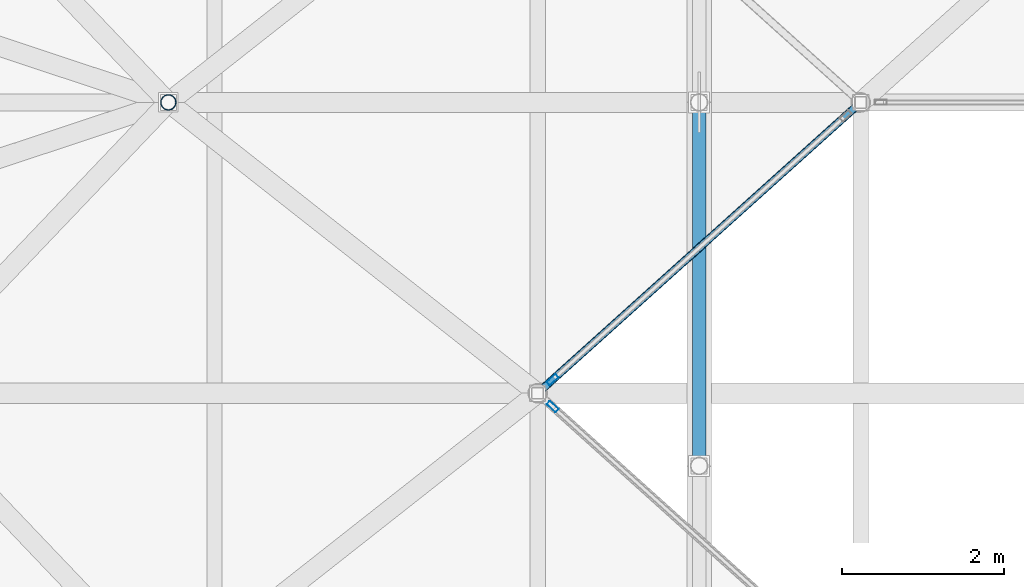
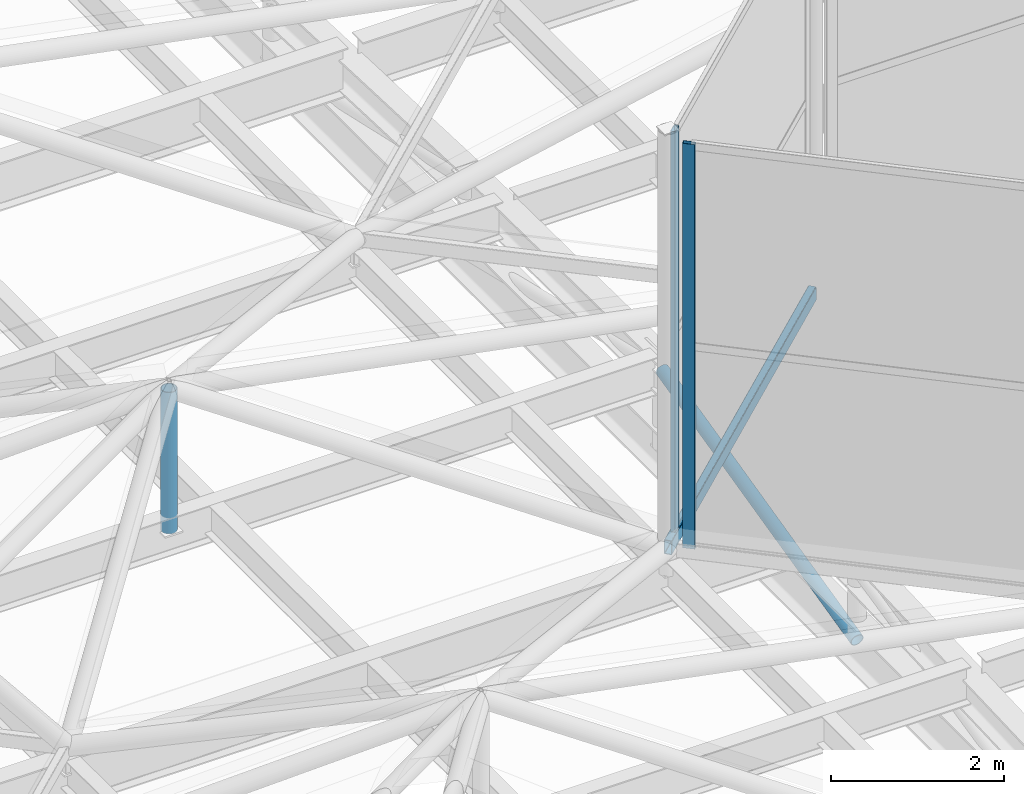
# One storey, part 56 of 239: 4 members, 1 beam, 2 elements without a shape of their own.
"""IFC4 building model written with IfcOpenShell, lengths in metres."""

from ifc_helpers import new_model, si_unit, direction, frame, origin, origin_2d, place, context, subcontext, project, spatial, hollow_rectangle, hollow_circle, extrude, material, layer, layer_set, material_profile, profile_set, type_object, element, aggregate, save


model = new_model("IFC4")

# Units and contexts
model_context = context("Model", 3, precision=1e-05, world=origin(), true_north=direction((0.0, 1.0)))
body_context = subcontext(model_context, "Body", "Model", "MODEL_VIEW")
ifc_project = project(units=[si_unit("LENGTHUNIT", "METRE"), si_unit("AREAUNIT", "SQUARE_METRE"), si_unit("VOLUMEUNIT", "CUBIC_METRE"), si_unit("PLANEANGLEUNIT", "RADIAN"), si_unit("MASSUNIT", "GRAM", prefix="KILO")], contexts=[model_context])

# Site, building, storey
site_placement = place(None, origin())
site = spatial("IfcSite", under=ifc_project, at=site_placement, CompositionType="ELEMENT")
building_placement = place(site_placement, origin())
building = spatial("IfcBuilding", under=site, at=building_placement, Name="Dunvalen Ferry Terminal", CompositionType="ELEMENT")
storey_placement = place(building_placement, frame((0.0, 0.0, 9.840087890625)))
storey = spatial("IfcBuildingStorey", under=building, at=storey_placement, Name="L02", CompositionType="ELEMENT", Elevation=9.840087890625)

# Curtain wall, member
ifc_material_1 = material(Name="Anodised marine aluminium and solar-control glazing", Category="aluminium")
ifc_layer_1 = layer(ifc_material_1, 0.179931640625, Name="Anodised marine aluminium and solar-control glazing")
ifc_layer_set_1 = layer_set([ifc_layer_1], Name="Anodised marine aluminium and solar-control glazing")
curtain_wall_type_1 = type_object("IfcCurtainWallType", Name="ENV-CW-SYS-05", PredefinedType="NOTDEFINED", material=ifc_layer_set_1)
curtain_wall_1_placement = place(storey_placement, origin())
curtain_wall_1 = element("IfcCurtainWall", 1, at=curtain_wall_1_placement, inside=storey, type_object=curtain_wall_type_1, Name="L02 Curtain Wall CW-HEX-14-SK-1", PredefinedType="NOTDEFINED")
ifc_material_2 = material(Name="Anodised marine aluminium EN AW-6063 T6", Category="aluminium")
ifc_material_profile_1 = material_profile(ifc_material_2, hollow_rectangle(XDim=0.06005859375, YDim=0.14990234375, WallThickness=0.00341796875, InnerFilletRadius=0.00341796875, OuterFilletRadius=0.007080078125, at=origin_2d()), Name="Anodised marine aluminium EN AW-6063 T6")
ifc_profile_set_1 = profile_set([ifc_material_profile_1], Name="Anodised marine aluminium EN AW-6063 T6")
member_type_1 = type_object("IfcMemberType", Name="ENV-CW-MUL-3", PredefinedType="MULLION", material=ifc_profile_set_1)
member_1_placement = place(storey_placement, frame((22.185791015625, 64.6328125, 1.139892578125), z_axis=(0.0, 0.0, 1.0), x_axis=(0.668953550894, 0.74330420875, 0.0)))
member_1 = element("IfcMember", 2, at=member_1_placement, type_object=member_type_1, Name="CW-05 mullion 1", PredefinedType="MULLION", context=body_context, shape_type="SweptSolid", body=[
    extrude(hollow_rectangle(XDim=0.06005859375, YDim=0.14990234375, WallThickness=0.00341796875, InnerFilletRadius=0.00341796875, OuterFilletRadius=0.007080078125, at=origin_2d()), origin(), (0.0, 0.0, 1.0), 5.699951171875),
])
aggregate(curtain_wall_1, [member_1])

ifc_layer_2 = layer(ifc_material_1, 0.179931640625, Name="Anodised marine aluminium and solar-control glazing")
ifc_layer_set_2 = layer_set([ifc_layer_2], Name="Anodised marine aluminium and solar-control glazing")
curtain_wall_type_2 = type_object("IfcCurtainWallType", Name="ENV-CW-SYS-06", PredefinedType="NOTDEFINED", material=ifc_layer_set_2)
curtain_wall_2_placement = place(storey_placement, origin())
curtain_wall_2 = element("IfcCurtainWall", 3, at=curtain_wall_2_placement, inside=storey, type_object=curtain_wall_type_2, Name="L02 Curtain Wall CW-HEX-14-SK-6", PredefinedType="NOTDEFINED")
member_2_placement = place(storey_placement, frame((22.185791015625, 64.96728515625, 1.139892578125), z_axis=(0.0, 0.0, 1.0), x_axis=(0.668953550894, -0.74330420875, 0.0)))
member_2 = element("IfcMember", 4, at=member_2_placement, type_object=member_type_1, Name="CW-06 mullion 2", PredefinedType="MULLION", context=body_context, shape_type="SweptSolid", body=[
    extrude(hollow_rectangle(XDim=0.06005859375, YDim=0.14990234375, WallThickness=0.00341796875, InnerFilletRadius=0.00341796875, OuterFilletRadius=0.007080078125, at=origin_2d()), origin(), (0.0, 0.0, 1.0), 5.699951171875),
])
aggregate(curtain_wall_2, [member_2])

# Beam
ifc_material_3 = material(Name="Steel S355", Category="steel")
ifc_material_profile_2 = material_profile(ifc_material_3, hollow_rectangle(XDim=0.10009765625, YDim=0.199951171875, WallThickness=0.008056640625, InnerFilletRadius=0.008056640625, OuterFilletRadius=0.01611328125, at=origin_2d()), Name="Steel S355")
ifc_profile_set_2 = profile_set([ifc_material_profile_2], Name="Steel S355")
beam_type = type_object("IfcBeamType", Name="STR-BM-RHS200", PredefinedType="BEAM", material=ifc_profile_set_2)
beam_placement = place(storey_placement, frame((22.0, 64.800048828125, 1.099853515625), z_axis=(0.74330768127, 0.668949692402, 0.0), x_axis=(-0.668949692402, 0.74330768127, 0.0)))
element("IfcBeam", 5, at=beam_placement, inside=storey, type_object=beam_type, Name="HEX-09 Hexagonal Rim Beam 4", PredefinedType="BEAM", context=body_context, shape_type="SweptSolid", body=[
    extrude(hollow_rectangle(XDim=0.10009765625, YDim=0.199951171875, WallThickness=0.008056640625, InnerFilletRadius=0.008056640625, OuterFilletRadius=0.01611328125, at=origin_2d()), origin(), (0.0, 0.0, 1.0), 5.38134765625),
])

# Members
ifc_material_profile_3 = material_profile(ifc_material_3, hollow_circle(Radius=0.084228515625, WallThickness=0.008056640625, at=origin_2d()), Name="Steel S355")
ifc_profile_set_3 = profile_set([ifc_material_profile_3], Name="Steel S355")
member_type_2 = type_object("IfcMemberType", Name="STR-MB-CHS168", PredefinedType="BRACE", material=ifc_profile_set_3)
member_3_placement = place(storey_placement, frame((24.0, 63.89990234375, -0.360107421875), z_axis=(0.0, 0.972383470914, 0.233388914677), x_axis=(-1.0, 0.0, 0.0)))
element("IfcMember", 6, at=member_3_placement, inside=storey, type_object=member_type_2, Name="Departure Hall Arch Web Diagonal 02.4", PredefinedType="BRACE", context=body_context, shape_type="SweptSolid", body=[
    extrude(hollow_circle(Radius=0.084228515625, WallThickness=0.008056640625, at=origin_2d()), origin(), (0.0, 0.0, 1.0), 4.627685546875),
])
ifc_material_profile_4 = material_profile(ifc_material_3, hollow_circle(Radius=0.096923828125, WallThickness=0.008056640625, at=origin_2d()), Name="Steel S355")
ifc_profile_set_4 = profile_set([ifc_material_profile_4], Name="Steel S355")
member_type_3 = type_object("IfcMemberType", Name="STR-MB-CHS193", PredefinedType="STRUT", material=ifc_profile_set_4)
member_4_placement = place(storey_placement, frame((17.4287109375, 68.39990234375, 0.77001953125), z_axis=(0.0, 0.0, 1.0), x_axis=(1.0, 0.0, 0.0)))
element("IfcMember", 7, at=member_4_placement, inside=storey, type_object=member_type_3, Name="HEX-09 Pyramid Apex Strut", PredefinedType="STRUT", context=body_context, shape_type="SweptSolid", body=[
    extrude(hollow_circle(Radius=0.096923828125, WallThickness=0.008056640625, at=origin_2d()), origin(), (0.0, 0.0, 1.0), 1.994873046875),
])

save(model, "model.ifc")
